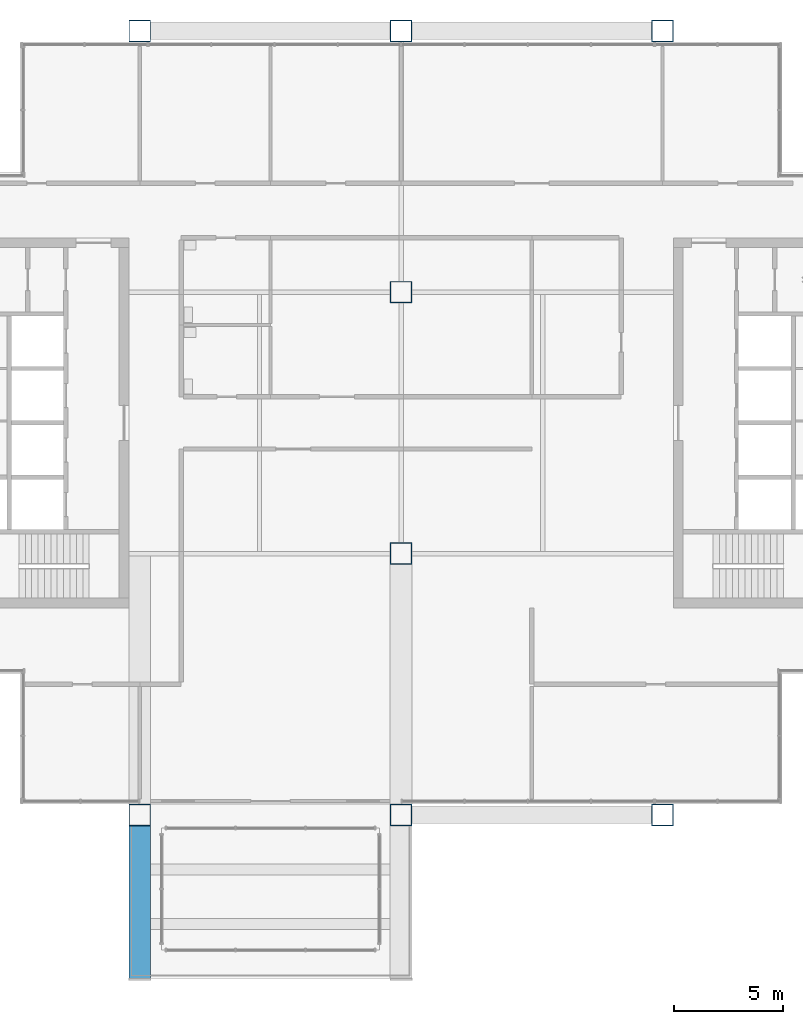
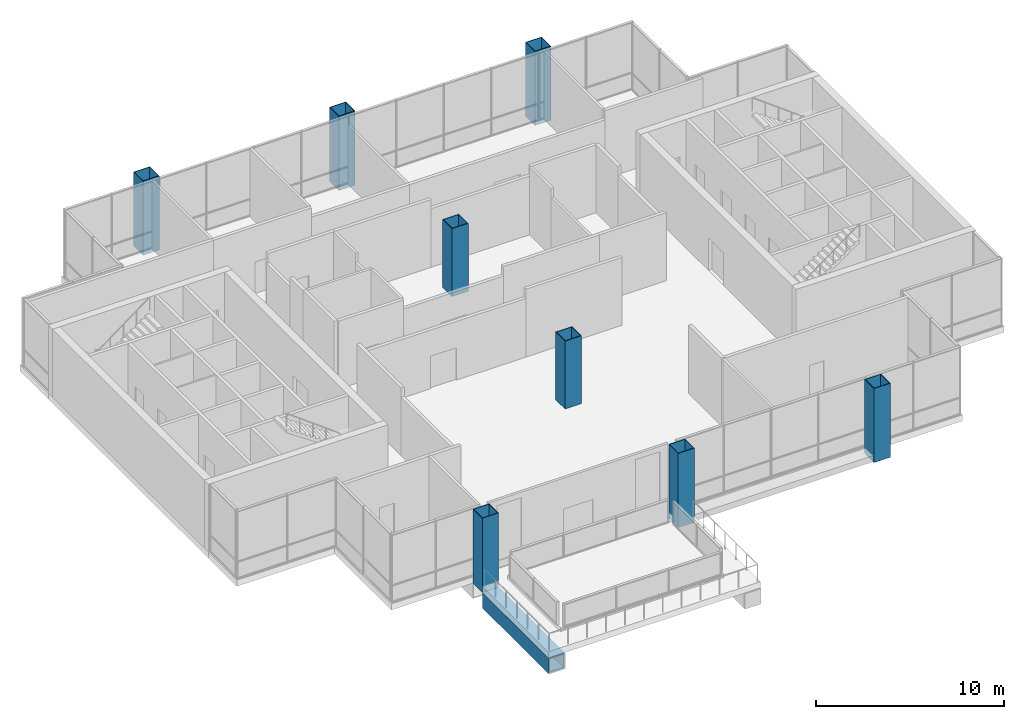
# One storey, part 1 of 15: 8 columns, 1 beam.
"""IFC4 building model written with IfcOpenShell, lengths in metres."""

from ifc_helpers import new_model, si_unit, direction, frame, origin, origin_2d, place, context, subcontext, project, spatial, hollow_rectangle, extrude, material, material_profile, profile_set, type_object, element, save


model = new_model("IFC4")

# Units and contexts
model_context = context("Model", 3, precision=1e-05, world=origin(), true_north=direction((0.0, 1.0)))
body_context = subcontext(model_context, "Body", "Model", "MODEL_VIEW")
ifc_project = project(units=[si_unit("LENGTHUNIT", "METRE"), si_unit("AREAUNIT", "SQUARE_METRE"), si_unit("VOLUMEUNIT", "CUBIC_METRE"), si_unit("PLANEANGLEUNIT", "RADIAN"), si_unit("MASSUNIT", "GRAM", prefix="KILO")], contexts=[model_context])

# Site, building, storey
site_placement = place(None, origin())
site = spatial("IfcSite", under=ifc_project, at=site_placement, CompositionType="ELEMENT")
building_placement = place(site_placement, origin())
building = spatial("IfcBuilding", under=site, at=building_placement, Name="Kitamizu Gate Tower and Museum", CompositionType="ELEMENT")
storey_placement = place(building_placement, frame((0.0, 0.0, 273.14990234375)))
storey = spatial("IfcBuildingStorey", under=building, at=storey_placement, Name="L74", CompositionType="ELEMENT", Elevation=273.14990234375)

# Columns
ifc_material_1 = material(Name="Steel SM490A bronze coated", Category="steel")
ifc_material_profile_1 = material_profile(ifc_material_1, hollow_rectangle(XDim=1.0, YDim=1.0, WallThickness=0.035888671875, at=origin_2d()), Name="BOX 1000x1000x36")
ifc_profile_set_1 = profile_set([ifc_material_profile_1], Name="Steel SM490A bronze coated")
column_type_1 = type_object("IfcColumnType", Name="Exoskeleton column XC9 BOX 1000x1000x36", PredefinedType="COLUMN", material=ifc_profile_set_1)
for number, where, z_axis, x_axis, name in (
    (1, (24.0, 12.0, -0.39990234375), (0.0, 0.0, 1.0), (1.0, 0.0, 0.0), "Column XC9 3B L74"),
    (2, (24.0, 48.0, -0.39990234375), (0.0, 0.0, 1.0), (1.0, 0.0, 0.0), "Column XC9 3E L74"),
    (3, (36.0, 12.0, -0.39990234375), (0.0, 0.0, 1.0), (1.0, 0.0, 0.0), "Column XC9 4B L74"),
    (4, (36.0, 48.0, -0.39990234375), (0.0, 0.0, 1.0), (1.0, 0.0, 0.0), "Column XC9 4E L74"),
    (5, (48.0, 12.0, -0.39990234375), (0.0, 0.0, 1.0), (1.0, 0.0, 0.0), "Column XC9 5B L74"),
    (6, (48.0, 48.0, -0.39990234375), (0.0, 0.0, 1.0), (1.0, 0.0, 0.0), "Column XC9 5E L74"),
):
    element("IfcColumn", number, at=place(storey_placement, frame(where, z_axis=z_axis, x_axis=x_axis)), inside=storey, type_object=column_type_1, Name=name, PredefinedType="COLUMN", context=body_context, shape_type="SweptSolid", body=[
        extrude(hollow_rectangle(XDim=1.0, YDim=1.0, WallThickness=0.035888671875, at=origin_2d()), origin(), (0.0, 0.0, 1.0), 4.800048828125),
    ])
ifc_material_2 = material(Name="Steel SM490A", Category="steel")
ifc_material_profile_2 = material_profile(ifc_material_2, hollow_rectangle(XDim=1.0, YDim=1.0, WallThickness=0.0400390625, at=origin_2d()), Name="BOX 1000x1000x40")
ifc_profile_set_2 = profile_set([ifc_material_profile_2], Name="Steel SM490A")
column_type_2 = type_object("IfcColumnType", Name="Interior column IC5 BOX 1000x1000x40", PredefinedType="COLUMN", material=ifc_profile_set_2)
for number, where, z_axis, x_axis, name in (
    (7, (36.0, 24.0, 0.0), (0.0, 0.0, 1.0), (1.0, 0.0, 0.0), "Column IC5 4C L74"),
    (8, (36.0, 36.0, 0.0), (0.0, 0.0, 1.0), (1.0, 0.0, 0.0), "Column IC5 4D L74"),
):
    element("IfcColumn", number, at=place(storey_placement, frame(where, z_axis=z_axis, x_axis=x_axis)), inside=storey, type_object=column_type_2, Name=name, PredefinedType="COLUMN", context=body_context, shape_type="SweptSolid", body=[
        extrude(hollow_rectangle(XDim=1.0, YDim=1.0, WallThickness=0.0400390625, at=origin_2d()), origin(), (0.0, 0.0, 1.0), 4.400146484375),
    ])

# Beam
ifc_material_3 = material(Name="Steel SM490A bronze coated", Category="steel")
ifc_material_profile_3 = material_profile(ifc_material_3, hollow_rectangle(XDim=1.0, YDim=1.0, WallThickness=0.080078125, at=origin_2d()), Name="BOX 1000x1000x80")
ifc_profile_set_3 = profile_set([ifc_material_profile_3], Name="Steel SM490A bronze coated")
beam_type = type_object("IfcBeamType", Name="Pool cantilever girder PG3 BOX 1000x1000x80", PredefinedType="BEAM", material=ifc_profile_set_3)
beam_placement = place(storey_placement, frame((24.0, 4.5, -0.89990234375), z_axis=(0.0, 1.0, 0.0), x_axis=(-1.0, 0.0, 0.0)))
element("IfcBeam", 9, at=beam_placement, inside=storey, type_object=beam_type, Name="Pool girder W tip L74", PredefinedType="BEAM", context=body_context, shape_type="SweptSolid", body=[
    extrude(hollow_rectangle(XDim=1.0, YDim=1.0, WallThickness=0.080078125, at=origin_2d()), origin(), (0.0, 0.0, 1.0), 7.0),
])

save(model, "model.ifc")
